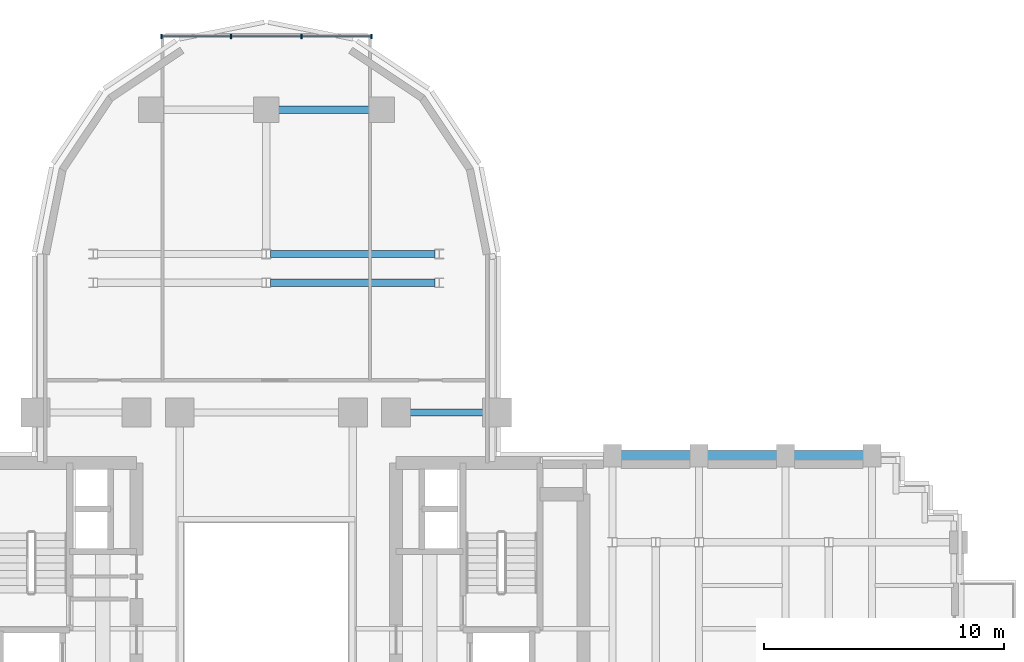
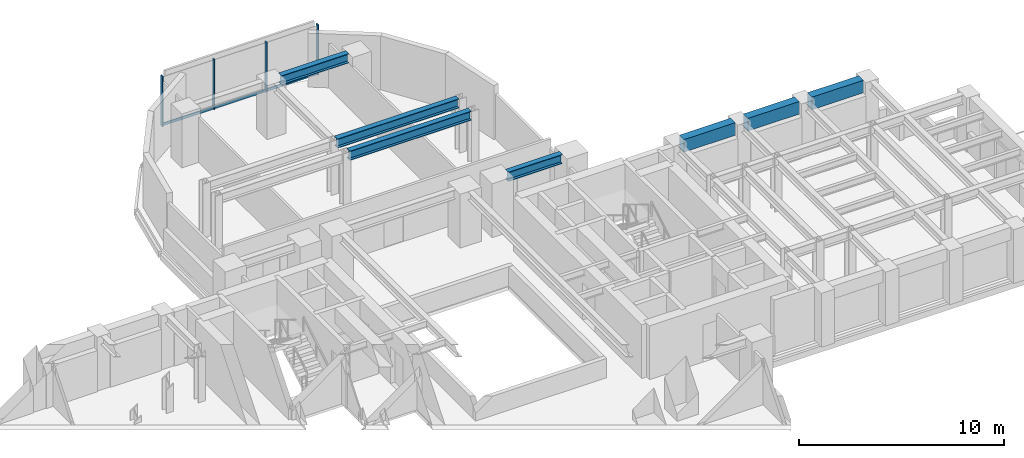
# One storey, part 7 of 14: 7 beams, 7 members, 1 element without a shape of its own.
"""IFC4 building model written with IfcOpenShell, lengths in metres."""

from ifc_helpers import new_model, si_unit, direction, frame, origin, origin_2d, place, context, subcontext, project, spatial, rectangle, i_section, extrude, source, transform, mapped, material, material_profile, profile_set, type_object, element, aggregate, save


model = new_model("IFC4")

# Units and contexts
model_context = context("Model", 3, precision=1e-05, world=origin(), true_north=direction((0.0, 1.0)))
body_context = subcontext(model_context, "Body", "Model", "MODEL_VIEW")
ifc_project = project(units=[si_unit("LENGTHUNIT", "METRE"), si_unit("AREAUNIT", "SQUARE_METRE"), si_unit("VOLUMEUNIT", "CUBIC_METRE"), si_unit("PLANEANGLEUNIT", "RADIAN"), si_unit("MASSUNIT", "GRAM", prefix="KILO")], contexts=[model_context])

# Site, building, storey
site_placement = place(None, origin())
site = spatial("IfcSite", under=ifc_project, at=site_placement, CompositionType="ELEMENT")
building_placement = place(site_placement, origin())
building = spatial("IfcBuilding", under=site, at=building_placement, Name="Keilestroom Media Tower", CompositionType="ELEMENT")
storey_placement = place(building_placement, frame((0.0, 0.0, 44.199951171875)))
storey = spatial("IfcBuildingStorey", under=building, at=storey_placement, Name="L10", CompositionType="ELEMENT", Elevation=44.199951171875)

# Beams
ifc_material_1 = material(Name="Steel S355", Category="steel")
ifc_material_profile_1 = material_profile(ifc_material_1, i_section(OverallWidth=0.300048828125, OverallDepth=0.550048828125, WebThickness=0.012939453125, FlangeThickness=0.029052734375, at=origin_2d()), Name="HEB 550")
ifc_profile_set_1 = profile_set([ifc_material_profile_1], Name="Steel S355")
beam_type_1 = type_object("IfcBeamType", Name="Primary-Structural-Girder-HEB-550", PredefinedType="BEAM", material=ifc_profile_set_1)
shared_shape_1 = source(origin(), body_context, "Body", "SweptSolid", [
    extrude(i_section(OverallWidth=0.300048828125, OverallDepth=0.550048828125, WebThickness=0.012939453125, FlangeThickness=0.029052734375, at=origin_2d()), origin(), (0.0, 0.0, 1.0), 3.7900390625),
])
beam_1_placement = place(storey_placement, frame((0.5048828125, 21.60009765625, 2.925048828125), z_axis=(1.0, 0.0, 0.0), x_axis=(0.0, 1.0, 0.0)))
element("IfcBeam", 1, at=beam_1_placement, inside=storey, type_object=beam_type_1, Name="L10 Beam BG-5 BM-L10-EW-050", PredefinedType="BEAM", context=body_context, shape_type="MappedRepresentation", body=[
    mapped(shared_shape_1, transform((0.0, 0.0, 0.0), x_axis=(1.0, 0.0, 0.0), y_axis=(0.0, 1.0, 0.0), z_axis=(0.0, 0.0, 1.0), scale=1.0)),
])
shared_shape_2 = source(origin(), body_context, "Body", "SweptSolid", [
    extrude(i_section(OverallWidth=0.300048828125, OverallDepth=0.550048828125, WebThickness=0.012939453125, FlangeThickness=0.029052734375, at=origin_2d()), origin(), (0.0, 0.0, 1.0), 6.836181640625),
])
for number, where, z_axis, x_axis, name in (
    (2, (0.181884765625, 14.39990234375, 2.925048828125), (1.0, 0.0, 0.0), (0.0, 1.0, 0.0), "L10 Beam BG-5 BM-L10-EW-046"),
    (3, (0.181884765625, 15.60009765625, 2.925048828125), (1.0, 0.0, 0.0), (0.0, 1.0, 0.0), "L10 Beam BG-5 BM-L10-EW-048"),
):
    element("IfcBeam", number, at=place(storey_placement, frame(where, z_axis=z_axis, x_axis=x_axis)), inside=storey, type_object=beam_type_1, Name=name, PredefinedType="BEAM", context=body_context, shape_type="MappedRepresentation", body=[
        mapped(shared_shape_2, transform((0.0, 0.0, 0.0), x_axis=(1.0, 0.0, 0.0), y_axis=(0.0, 1.0, 0.0), z_axis=(0.0, 0.0, 1.0), scale=1.0)),
    ])
shared_shape_3 = source(origin(), body_context, "Body", "SweptSolid", [
    extrude(i_section(OverallWidth=0.300048828125, OverallDepth=0.550048828125, WebThickness=0.012939453125, FlangeThickness=0.029052734375, at=origin_2d()), origin(), (0.0, 0.0, 1.0), 3.0400390625),
])
beam_2_placement = place(storey_placement, frame((5.97998046875, 9.0, 2.925048828125), z_axis=(1.0, 0.0, 0.0), x_axis=(0.0, 1.0, 0.0)))
element("IfcBeam", 4, at=beam_2_placement, inside=storey, type_object=beam_type_1, Name="L10 Beam BG-5 BM-L10-EW-044", PredefinedType="BEAM", context=body_context, shape_type="MappedRepresentation", body=[
    mapped(shared_shape_3, transform((0.0, 0.0, 0.0), x_axis=(1.0, 0.0, 0.0), y_axis=(0.0, 1.0, 0.0), z_axis=(0.0, 0.0, 1.0), scale=1.0)),
])
ifc_material_2 = material(Name="Precast concrete C40/50", Category="concrete")
ifc_material_profile_2 = material_profile(ifc_material_2, rectangle(XDim=0.449951171875, YDim=0.75, at=origin_2d()), Name="PC 450x750")
ifc_profile_set_2 = profile_set([ifc_material_profile_2], Name="Precast concrete C40/50")
beam_type_2 = type_object("IfcBeamType", Name="Perimeter-Spandrel-Beam-PC-450x750", PredefinedType="SPANDREL", material=ifc_profile_set_2)
shared_shape_4 = source(origin(), body_context, "Body", "SweptSolid", [
    extrude(rectangle(XDim=0.449951171875, YDim=0.75, at=origin_2d()), origin(), (0.0, 0.0, 1.0), 2.889892578125),
])
beam_3_placement = place(storey_placement, frame((21.955078125, 7.199951171875, 2.824951171875), z_axis=(1.0, 0.0, 0.0), x_axis=(0.0, 1.0, 0.0)))
element("IfcBeam", 5, at=beam_3_placement, inside=storey, type_object=beam_type_2, Name="L10 Beam SPB-1 BM-L10-EW-039", PredefinedType="SPANDREL", context=body_context, shape_type="MappedRepresentation", body=[
    mapped(shared_shape_4, transform((0.0, 0.0, 0.0), x_axis=(1.0, 0.0, 0.0), y_axis=(0.0, 1.0, 0.0), z_axis=(0.0, 0.0, 1.0), scale=1.0)),
])
shared_shape_5 = source(origin(), body_context, "Body", "SweptSolid", [
    extrude(rectangle(XDim=0.449951171875, YDim=0.75, at=origin_2d()), origin(), (0.0, 0.0, 1.0), 2.89013671875),
])
for number, where, z_axis, x_axis, name in (
    (6, (14.7548828125, 7.199951171875, 2.824951171875), (1.0, 0.0, 0.0), (0.0, 1.0, 0.0), "L10 Beam SPB-1 BM-L10-EW-037"),
    (7, (18.35498046875, 7.199951171875, 2.824951171875), (1.0, 0.0, 0.0), (0.0, 1.0, 0.0), "L10 Beam SPB-1 BM-L10-EW-038"),
):
    element("IfcBeam", number, at=place(storey_placement, frame(where, z_axis=z_axis, x_axis=x_axis)), inside=storey, type_object=beam_type_2, Name=name, PredefinedType="SPANDREL", context=body_context, shape_type="MappedRepresentation", body=[
        mapped(shared_shape_5, transform((0.0, 0.0, 0.0), x_axis=(1.0, 0.0, 0.0), y_axis=(0.0, 1.0, 0.0), z_axis=(0.0, 0.0, 1.0), scale=1.0)),
    ])

# Curtain wall, members
ifc_material_3 = material(Name="Anodised Aluminium Alloy", Category="aluminium")
curtain_wall_type = type_object("IfcCurtainWallType", Name="Unitised-Curtain-Wall-CW-6", PredefinedType="NOTDEFINED", material=ifc_material_3)
curtain_wall_placement = place(storey_placement, origin())
curtain_wall = element("IfcCurtainWall", 8, at=curtain_wall_placement, inside=storey, type_object=curtain_wall_type, Name="L10 Curtain Wall CW-6 CW-L10-LN-1", PredefinedType="NOTDEFINED")
ifc_material_profile_3 = material_profile(ifc_material_3, rectangle(XDim=0.06494140625, YDim=0.179931640625, at=origin_2d()), Name="ALU MULLION 65x180")
ifc_profile_set_3 = profile_set([ifc_material_profile_3], Name="Anodised Aluminium Alloy")
member_type_1 = type_object("IfcMemberType", Name="Curtain-Wall-Mullion-CW-6", PredefinedType="MULLION", material=ifc_profile_set_3)
shared_shape_6 = source(origin(), body_context, "Body", "SweptSolid", [
    extrude(rectangle(XDim=0.06494140625, YDim=0.179931640625, at=origin_2d()), origin(), (0.0, 0.0, 1.0), 2.97998046875),
])
member_1_placement = place(storey_placement, frame((-4.367431640625, 24.64990234375, 0.0), z_axis=(0.0, 0.0, 1.0), x_axis=(1.0, 0.0, 0.0)))
member_1 = element("IfcMember", 9, at=member_1_placement, type_object=member_type_1, Name="CW-6 Mullion 00", PredefinedType="MULLION", context=body_context, shape_type="MappedRepresentation", body=[
    mapped(shared_shape_6, transform((0.0, 0.0, 0.0), x_axis=(1.0, 0.0, 0.0), y_axis=(0.0, 1.0, 0.0), z_axis=(0.0, 0.0, 1.0), scale=1.0)),
])
member_2_placement = place(storey_placement, frame((-1.466796875, 24.64990234375, 0.0), z_axis=(0.0, 0.0, 1.0), x_axis=(1.0, 0.0, 0.0)))
member_2 = element("IfcMember", 10, at=member_2_placement, type_object=member_type_1, Name="CW-6 Mullion 01", PredefinedType="MULLION", context=body_context, shape_type="MappedRepresentation", body=[
    mapped(shared_shape_6, transform((0.0, 0.0, 0.0), x_axis=(1.0, 0.0, 0.0), y_axis=(0.0, 1.0, 0.0), z_axis=(0.0, 0.0, 1.0), scale=1.0)),
])
member_3_placement = place(storey_placement, frame((1.466796875, 24.64990234375, 0.0), z_axis=(0.0, 0.0, 1.0), x_axis=(1.0, 0.0, 0.0)))
member_3 = element("IfcMember", 11, at=member_3_placement, type_object=member_type_1, Name="CW-6 Mullion 02", PredefinedType="MULLION", context=body_context, shape_type="MappedRepresentation", body=[
    mapped(shared_shape_6, transform((0.0, 0.0, 0.0), x_axis=(1.0, 0.0, 0.0), y_axis=(0.0, 1.0, 0.0), z_axis=(0.0, 0.0, 1.0), scale=1.0)),
])
member_4_placement = place(storey_placement, frame((4.367431640625, 24.64990234375, 0.0), z_axis=(0.0, 0.0, 1.0), x_axis=(1.0, 0.0, 0.0)))
member_4 = element("IfcMember", 12, at=member_4_placement, type_object=member_type_1, Name="CW-6 Mullion 03", PredefinedType="MULLION", context=body_context, shape_type="MappedRepresentation", body=[
    mapped(shared_shape_6, transform((0.0, 0.0, 0.0), x_axis=(1.0, 0.0, 0.0), y_axis=(0.0, 1.0, 0.0), z_axis=(0.0, 0.0, 1.0), scale=1.0)),
])
ifc_material_profile_4 = material_profile(ifc_material_3, rectangle(XDim=0.06494140625, YDim=0.14990234375, at=origin_2d()), Name="ALU TRANSOM 65x150")
ifc_profile_set_4 = profile_set([ifc_material_profile_4], Name="Anodised Aluminium Alloy")
member_type_2 = type_object("IfcMemberType", Name="Curtain-Wall-Transom-CW-6", PredefinedType="USERDEFINED", material=ifc_profile_set_4)
shared_shape_7 = source(origin(), body_context, "Body", "SweptSolid", [
    extrude(rectangle(XDim=0.06494140625, YDim=0.14990234375, at=origin_2d()), origin(), (0.0, 0.0, 1.0), 2.839599609375),
])
member_5_placement = place(storey_placement, frame((-4.3369140625, 24.64990234375, 0.074951171875), z_axis=(1.0, 0.0, 0.0), x_axis=(0.0, 1.0, 0.0)))
member_5 = element("IfcMember", 13, at=member_5_placement, type_object=member_type_2, Name="CW-6 Transom 00.1", ObjectType="TRANSOM", PredefinedType="USERDEFINED", context=body_context, shape_type="MappedRepresentation", body=[
    mapped(shared_shape_7, transform((0.0, 0.0, 0.0), x_axis=(1.0, 0.0, 0.0), y_axis=(0.0, 1.0, 0.0), z_axis=(0.0, 0.0, 1.0), scale=1.0)),
])
member_6_placement = place(storey_placement, frame((1.497314453125, 24.64990234375, 0.074951171875), z_axis=(1.0, 0.0, 0.0), x_axis=(0.0, 1.0, 0.0)))
member_6 = element("IfcMember", 14, at=member_6_placement, type_object=member_type_2, Name="CW-6 Transom 02.1", ObjectType="TRANSOM", PredefinedType="USERDEFINED", context=body_context, shape_type="MappedRepresentation", body=[
    mapped(shared_shape_7, transform((0.0, 0.0, 0.0), x_axis=(1.0, 0.0, 0.0), y_axis=(0.0, 1.0, 0.0), z_axis=(0.0, 0.0, 1.0), scale=1.0)),
])
shared_shape_8 = source(origin(), body_context, "Body", "SweptSolid", [
    extrude(rectangle(XDim=0.06494140625, YDim=0.14990234375, at=origin_2d()), origin(), (0.0, 0.0, 1.0), 2.87255859375),
])
member_7_placement = place(storey_placement, frame((-1.436279296875, 24.64990234375, 0.074951171875), z_axis=(1.0, 0.0, 0.0), x_axis=(0.0, 1.0, 0.0)))
member_7 = element("IfcMember", 15, at=member_7_placement, type_object=member_type_2, Name="CW-6 Transom 01.1", ObjectType="TRANSOM", PredefinedType="USERDEFINED", context=body_context, shape_type="MappedRepresentation", body=[
    mapped(shared_shape_8, transform((0.0, 0.0, 0.0), x_axis=(1.0, 0.0, 0.0), y_axis=(0.0, 1.0, 0.0), z_axis=(0.0, 0.0, 1.0), scale=1.0)),
])
aggregate(curtain_wall, [member_1, member_2, member_3, member_4, member_5, member_7, member_6])

save(model, "model.ifc")
